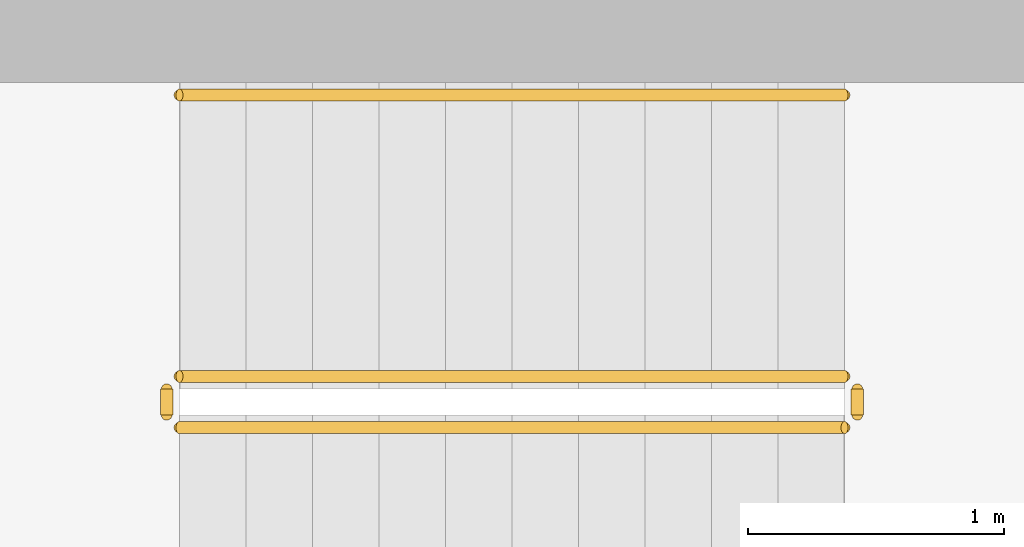
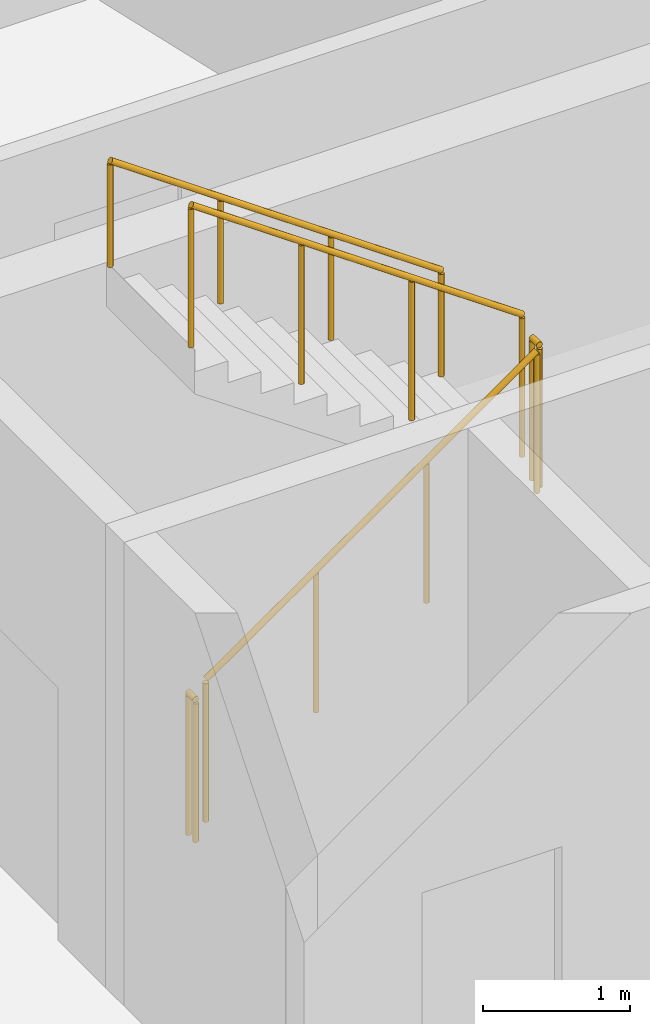
# One storey, part 16 of 20: 5 railings.
"""IFC4 building model written with IfcOpenShell, lengths in metres."""

from ifc_helpers import new_model, si_unit, direction, frame, origin, origin_2d, place, context, subcontext, project, spatial, circle, extrude, material, type_object, element, save


model = new_model("IFC4")

# Units and contexts
model_context = context("Model", 3, precision=1e-05, world=origin(), true_north=direction((0.0, 1.0)))
body_context = subcontext(model_context, "Body", "Model", "MODEL_VIEW")
ifc_project = project(units=[si_unit("LENGTHUNIT", "METRE"), si_unit("AREAUNIT", "SQUARE_METRE"), si_unit("VOLUMEUNIT", "CUBIC_METRE"), si_unit("PLANEANGLEUNIT", "RADIAN"), si_unit("MASSUNIT", "GRAM", prefix="KILO")], contexts=[model_context])

# Site, building, storey
site_placement = place(None, origin())
site = spatial("IfcSite", under=ifc_project, at=site_placement, CompositionType="ELEMENT")
building_placement = place(site_placement, origin())
building = spatial("IfcBuilding", under=site, at=building_placement, Name="Sahrelin Media Tower", CompositionType="ELEMENT")
storey_placement = place(building_placement, frame((0.0, 0.0, 237.60009765625)))
storey = spatial("IfcBuildingStorey", under=building, at=storey_placement, Name="L51", CompositionType="ELEMENT", Elevation=237.60009765625)

# Railings
ifc_material = material(Name="Steel S355", Category="steel")
railing_type_1 = type_object("IfcRailingType", Name="Stair guard 1200", PredefinedType="GUARDRAIL", material=ifc_material)
railing_1_placement = place(storey_placement, frame((-7.675048828125, 5.25, 0.181640625)))
element("IfcRailing", 1, at=railing_1_placement, inside=storey, type_object=railing_type_1, Name="L51 ST1 stair guard 1", PredefinedType="GUARDRAIL", context=body_context, shape_type="SweptSolid", body=[
    extrude(circle(Radius=0.02392578125, at=origin_2d()), frame((0.0, 0.0, 1.17578125), z_axis=(0.819484887739, 0.0, 0.573100792852), x_axis=(0.0, 1.0, 0.0)), (0.0, 0.0, 1.0), 3.1728515625),
    extrude(circle(Radius=0.02099609375, at=origin_2d()), origin(), (0.0, 0.0, 1.0), 1.15185546875),
    extrude(circle(Radius=0.02099609375, at=origin_2d()), frame((0.86669921875, 0.0, 0.606201171875)), (0.0, 0.0, 1.0), 1.15185546875),
    extrude(circle(Radius=0.02099609375, at=origin_2d()), frame((1.7333984375, 0.0, 1.212158203125)), (0.0, 0.0, 1.0), 1.15185546875),
    extrude(circle(Radius=0.02099609375, at=origin_2d()), frame((2.60009765625, 0.0, 1.818359375)), (0.0, 0.0, 1.0), 1.15185546875),
])
railing_2_placement = place(storey_placement, frame((-5.02490234375, 5.300048828125, 2.0)))
element("IfcRailing", 2, at=railing_2_placement, inside=storey, type_object=railing_type_1, Name="L51 ST1 stair guard 2", PredefinedType="GUARDRAIL", context=body_context, shape_type="SweptSolid", body=[
    extrude(circle(Radius=0.02392578125, at=origin_2d()), frame((0.0, 0.0, 1.17578125), z_axis=(0.0, 1.0, 0.0), x_axis=(-1.0, 0.0, 0.0)), (0.0, 0.0, 1.0), 0.099853515625),
    extrude(circle(Radius=0.02099609375, at=origin_2d()), origin(), (0.0, 0.0, 1.0), 1.15185546875),
    extrude(circle(Radius=0.02099609375, at=origin_2d()), frame((0.0, 0.099853515625, 0.0)), (0.0, 0.0, 1.0), 1.15185546875),
])
railing_3_placement = place(storey_placement, frame((-5.074951171875, 5.449951171875, 2.181640625)))
element("IfcRailing", 3, at=railing_3_placement, inside=storey, type_object=railing_type_1, Name="L51 ST1 stair guard 3", PredefinedType="GUARDRAIL", context=body_context, shape_type="SweptSolid", body=[
    extrude(circle(Radius=0.02392578125, at=origin_2d()), frame((0.0, 0.0, 1.17578125), z_axis=(-0.819484887739, 0.0, 0.573100792852), x_axis=(0.0, -1.0, 0.0)), (0.0, 0.0, 1.0), 3.1728515625),
    extrude(circle(Radius=0.02099609375, at=origin_2d()), origin(), (0.0, 0.0, 1.0), 1.15185546875),
    extrude(circle(Radius=0.02099609375, at=origin_2d()), frame((-0.86669921875, 0.0, 0.606201171875)), (0.0, 0.0, 1.0), 1.15185546875),
    extrude(circle(Radius=0.02099609375, at=origin_2d()), frame((-1.7333984375, 0.0, 1.212158203125)), (0.0, 0.0, 1.0), 1.15185546875),
    extrude(circle(Radius=0.02099609375, at=origin_2d()), frame((-2.60009765625, 0.0, 1.818359375)), (0.0, 0.0, 1.0), 1.15185546875),
])
railing_4_placement = place(storey_placement, frame((-7.72509765625, 5.300048828125, 0.0)))
element("IfcRailing", 4, at=railing_4_placement, inside=storey, type_object=railing_type_1, Name="L51 ST1 stair guard 4", PredefinedType="GUARDRAIL", context=body_context, shape_type="SweptSolid", body=[
    extrude(circle(Radius=0.02392578125, at=origin_2d()), frame((0.0, 0.0, 1.17578125), z_axis=(0.0, 1.0, 0.0), x_axis=(-1.0, 0.0, 0.0)), (0.0, 0.0, 1.0), 0.099853515625),
    extrude(circle(Radius=0.02099609375, at=origin_2d()), origin(), (0.0, 0.0, 1.0), 1.15185546875),
    extrude(circle(Radius=0.02099609375, at=origin_2d()), frame((0.0, 0.099853515625, 0.0)), (0.0, 0.0, 1.0), 1.15185546875),
])
railing_type_2 = type_object("IfcRailingType", Name="Stair handrail 900", PredefinedType="HANDRAIL", material=ifc_material)
railing_5_placement = place(storey_placement, frame((-5.074951171875, 6.550048828125, 2.181640625)))
element("IfcRailing", 5, at=railing_5_placement, inside=storey, type_object=railing_type_2, Name="L51 ST1 stair handrail 2", PredefinedType="HANDRAIL", context=body_context, shape_type="SweptSolid", body=[
    extrude(circle(Radius=0.02392578125, at=origin_2d()), frame((0.0, 0.0, 0.8759765625), z_axis=(-0.819484887739, 0.0, 0.573100792852), x_axis=(0.0, -1.0, 0.0)), (0.0, 0.0, 1.0), 3.1728515625),
    extrude(circle(Radius=0.02099609375, at=origin_2d()), origin(), (0.0, 0.0, 1.0), 0.851806640625),
    extrude(circle(Radius=0.02099609375, at=origin_2d()), frame((-0.86669921875, 0.0, 0.606201171875)), (0.0, 0.0, 1.0), 0.851806640625),
    extrude(circle(Radius=0.02099609375, at=origin_2d()), frame((-1.7333984375, 0.0, 1.212158203125)), (0.0, 0.0, 1.0), 0.851806640625),
    extrude(circle(Radius=0.02099609375, at=origin_2d()), frame((-2.60009765625, 0.0, 1.818359375)), (0.0, 0.0, 1.0), 0.851806640625),
])

save(model, "model.ifc")
